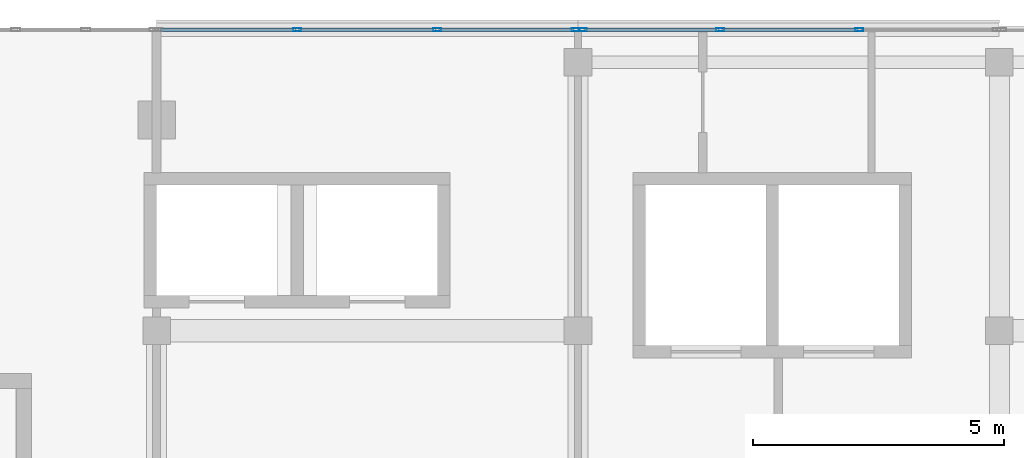
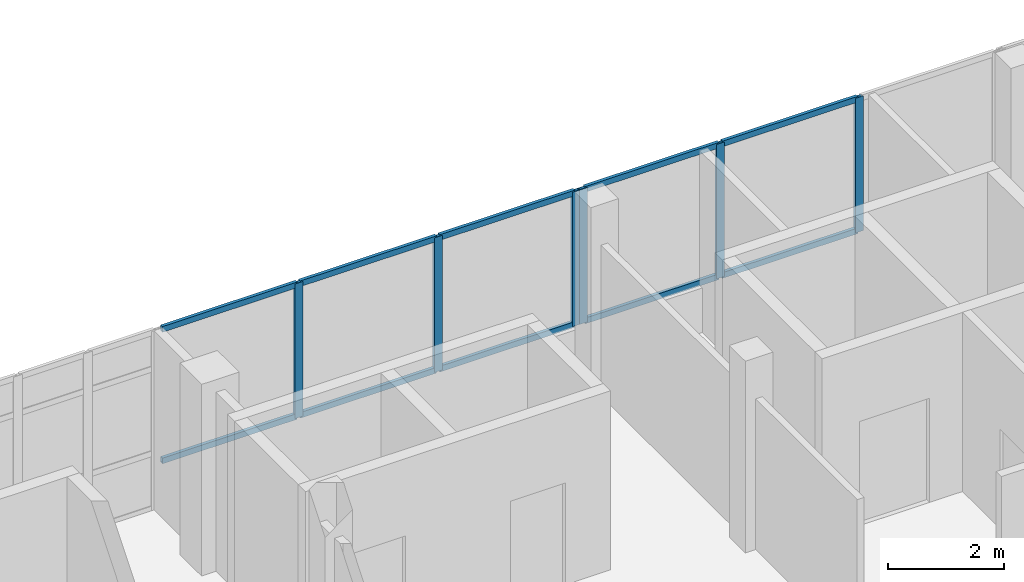
# One storey, part 35 of 66: 16 members, 2 elements without a shape of their own.
"""IFC4 building model written with IfcOpenShell, lengths in metres."""

from ifc_helpers import new_model, si_unit, direction, frame, origin, origin_2d, place, context, subcontext, project, spatial, hollow_rectangle, extrude, material, material_profile, profile_set, type_object, element, aggregate, save


model = new_model("IFC4")

# Units and contexts
model_context = context("Model", 3, precision=1e-05, world=origin(), true_north=direction((0.0, 1.0)))
body_context = subcontext(model_context, "Body", "Model", "MODEL_VIEW")
ifc_project = project(units=[si_unit("LENGTHUNIT", "METRE"), si_unit("AREAUNIT", "SQUARE_METRE"), si_unit("VOLUMEUNIT", "CUBIC_METRE"), si_unit("PLANEANGLEUNIT", "RADIAN"), si_unit("MASSUNIT", "GRAM", prefix="KILO")], contexts=[model_context])

# Site, building, storey
site_placement = place(None, origin())
site = spatial("IfcSite", under=ifc_project, at=site_placement, CompositionType="ELEMENT")
building_placement = place(site_placement, origin())
building = spatial("IfcBuilding", under=site, at=building_placement, Name="Selatvlak General Hospital", CompositionType="ELEMENT")
storey_placement = place(building_placement, frame((0.0, 0.0, 31.35009765625)))
storey = spatial("IfcBuildingStorey", under=building, at=storey_placement, Name="L07", CompositionType="ELEMENT", Elevation=31.35009765625)

# Curtain wall, members
ifc_material_1 = material(Name="Solar-control Low-E double glazing", Category="glass")
curtain_wall_type_1 = type_object("IfcCurtainWallType", Name="CW-CW-02", PredefinedType="USERDEFINED", material=ifc_material_1)
curtain_wall_1_placement = place(storey_placement, origin())
curtain_wall_1 = element("IfcCurtainWall", 1, at=curtain_wall_1_placement, inside=storey, type_object=curtain_wall_type_1, Name="Glazed facade curtain wall CW-L07-0654", ObjectType="UNITISED CURTAIN WALL", PredefinedType="USERDEFINED")
ifc_material_2 = material(Name="Dark anodised aluminium mullion", Category="aluminium")
ifc_material_profile_1 = material_profile(ifc_material_2, hollow_rectangle(XDim=0.06494140625, YDim=0.159912109375, WallThickness=0.00390625, at=origin_2d()), Name="AL-MUL 65x160x4")
ifc_profile_set_1 = profile_set([ifc_material_profile_1], Name="Dark anodised aluminium mullion")
member_type_1 = type_object("IfcMemberType", Name="CWM-01", PredefinedType="MULLION", material=ifc_profile_set_1)
member_1_placement = place(storey_placement, frame((118.00390625, 120.0, 0.93994140625), z_axis=(0.0, 0.0, 1.0), x_axis=(0.0, 1.0, 0.0)))
member_1 = element("IfcMember", 2, at=member_1_placement, type_object=member_type_1, Name="CW-02 mullion 2", PredefinedType="MULLION", context=body_context, shape_type="SweptSolid", body=[
    extrude(hollow_rectangle(XDim=0.06494140625, YDim=0.159912109375, WallThickness=0.00390625, at=origin_2d()), origin(), (0.0, 0.0, 1.0), 2.844970703125),
])
member_2_placement = place(storey_placement, frame((120.7939453125, 120.0, 0.93994140625), z_axis=(0.0, 0.0, 1.0), x_axis=(0.0, 1.0, 0.0)))
member_2 = element("IfcMember", 3, at=member_2_placement, type_object=member_type_1, Name="CW-02 mullion 3", PredefinedType="MULLION", context=body_context, shape_type="SweptSolid", body=[
    extrude(hollow_rectangle(XDim=0.06494140625, YDim=0.159912109375, WallThickness=0.00390625, at=origin_2d()), origin(), (0.0, 0.0, 1.0), 2.844970703125),
])
member_3_placement = place(storey_placement, frame((123.551513671875, 120.0, 0.93994140625), z_axis=(0.0, 0.0, 1.0), x_axis=(0.0, 1.0, 0.0)))
member_3 = element("IfcMember", 4, at=member_3_placement, type_object=member_type_1, Name="CW-02 mullion 4", PredefinedType="MULLION", context=body_context, shape_type="SweptSolid", body=[
    extrude(hollow_rectangle(XDim=0.06494140625, YDim=0.159912109375, WallThickness=0.00390625, at=origin_2d()), origin(), (0.0, 0.0, 1.0), 2.844970703125),
])

curtain_wall_type_2 = type_object("IfcCurtainWallType", Name="CW-CW-01", PredefinedType="USERDEFINED", material=ifc_material_1)
curtain_wall_2_placement = place(storey_placement, origin())
curtain_wall_2 = element("IfcCurtainWall", 5, at=curtain_wall_2_placement, inside=storey, type_object=curtain_wall_type_2, Name="Glazed facade curtain wall CW-L07-0655", ObjectType="UNITISED CURTAIN WALL", PredefinedType="USERDEFINED")
member_4_placement = place(storey_placement, frame((123.696533203125, 120.0, 0.93994140625), z_axis=(0.0, 0.0, 1.0), x_axis=(0.0, 1.0, 0.0)))
member_4 = element("IfcMember", 6, at=member_4_placement, type_object=member_type_1, Name="CW-01 mullion 1", PredefinedType="MULLION", context=body_context, shape_type="SweptSolid", body=[
    extrude(hollow_rectangle(XDim=0.06494140625, YDim=0.159912109375, WallThickness=0.00390625, at=origin_2d()), origin(), (0.0, 0.0, 1.0), 2.844970703125),
])
member_5_placement = place(storey_placement, frame((126.437255859375, 120.0, 0.93994140625), z_axis=(0.0, 0.0, 1.0), x_axis=(0.0, 1.0, 0.0)))
member_5 = element("IfcMember", 7, at=member_5_placement, type_object=member_type_1, Name="CW-01 mullion 2", PredefinedType="MULLION", context=body_context, shape_type="SweptSolid", body=[
    extrude(hollow_rectangle(XDim=0.06494140625, YDim=0.159912109375, WallThickness=0.00390625, at=origin_2d()), origin(), (0.0, 0.0, 1.0), 2.844970703125),
])
member_6_placement = place(storey_placement, frame((129.210693359375, 120.0, 0.93994140625), z_axis=(0.0, 0.0, 1.0), x_axis=(0.0, 1.0, 0.0)))
member_6 = element("IfcMember", 8, at=member_6_placement, type_object=member_type_1, Name="CW-01 mullion 3", PredefinedType="MULLION", context=body_context, shape_type="SweptSolid", body=[
    extrude(hollow_rectangle(XDim=0.06494140625, YDim=0.159912109375, WallThickness=0.00390625, at=origin_2d()), origin(), (0.0, 0.0, 1.0), 2.844970703125),
])

# Member
ifc_material_profile_2 = material_profile(ifc_material_2, hollow_rectangle(XDim=0.06494140625, YDim=0.1201171875, WallThickness=0.00390625, at=origin_2d()), Name="AL-TRN 65x120x4")
ifc_profile_set_2 = profile_set([ifc_material_profile_2], Name="Dark anodised aluminium mullion")
member_type_2 = type_object("IfcMemberType", Name="CWT-01", PredefinedType="USERDEFINED", material=ifc_profile_set_2)
member_7_placement = place(storey_placement, frame((115.279052734375, 120.0, 0.972412109375), z_axis=(1.0, 0.0, 0.0), x_axis=(0.0, 1.0, 0.0)))
member_7 = element("IfcMember", 9, at=member_7_placement, type_object=member_type_2, Name="CW-02 transom 1.1", ObjectType="TRANSOM", PredefinedType="USERDEFINED", context=body_context, shape_type="SweptSolid", body=[
    extrude(hollow_rectangle(XDim=0.06494140625, YDim=0.1201171875, WallThickness=0.00390625, at=origin_2d()), origin(), (0.0, 0.0, 1.0), 2.6923828125),
])

member_8_placement = place(storey_placement, frame((115.279052734375, 120.0, 3.75244140625), z_axis=(1.0, 0.0, 0.0), x_axis=(0.0, 1.0, 0.0)))
member_8 = element("IfcMember", 10, at=member_8_placement, type_object=member_type_2, Name="CW-02 transom 1.2", ObjectType="TRANSOM", PredefinedType="USERDEFINED", context=body_context, shape_type="SweptSolid", body=[
    extrude(hollow_rectangle(XDim=0.06494140625, YDim=0.1201171875, WallThickness=0.00390625, at=origin_2d()), origin(), (0.0, 0.0, 1.0), 2.6923828125),
])

member_9_placement = place(storey_placement, frame((118.03662109375, 120.0, 0.972412109375), z_axis=(1.0, 0.0, 0.0), x_axis=(0.0, 1.0, 0.0)))
member_9 = element("IfcMember", 11, at=member_9_placement, type_object=member_type_2, Name="CW-02 transom 2.1", ObjectType="TRANSOM", PredefinedType="USERDEFINED", context=body_context, shape_type="SweptSolid", body=[
    extrude(hollow_rectangle(XDim=0.06494140625, YDim=0.1201171875, WallThickness=0.00390625, at=origin_2d()), origin(), (0.0, 0.0, 1.0), 2.724853515625),
])

member_10_placement = place(storey_placement, frame((118.03662109375, 120.0, 3.75244140625), z_axis=(1.0, 0.0, 0.0), x_axis=(0.0, 1.0, 0.0)))
member_10 = element("IfcMember", 12, at=member_10_placement, type_object=member_type_2, Name="CW-02 transom 2.2", ObjectType="TRANSOM", PredefinedType="USERDEFINED", context=body_context, shape_type="SweptSolid", body=[
    extrude(hollow_rectangle(XDim=0.06494140625, YDim=0.1201171875, WallThickness=0.00390625, at=origin_2d()), origin(), (0.0, 0.0, 1.0), 2.724853515625),
])

member_11_placement = place(storey_placement, frame((120.826416015625, 120.0, 0.972412109375), z_axis=(1.0, 0.0, 0.0), x_axis=(0.0, 1.0, 0.0)))
member_11 = element("IfcMember", 13, at=member_11_placement, type_object=member_type_2, Name="CW-02 transom 3.1", ObjectType="TRANSOM", PredefinedType="USERDEFINED", context=body_context, shape_type="SweptSolid", body=[
    extrude(hollow_rectangle(XDim=0.06494140625, YDim=0.1201171875, WallThickness=0.00390625, at=origin_2d()), origin(), (0.0, 0.0, 1.0), 2.692626953125),
])

member_12_placement = place(storey_placement, frame((120.826416015625, 120.0, 3.75244140625), z_axis=(1.0, 0.0, 0.0), x_axis=(0.0, 1.0, 0.0)))
member_12 = element("IfcMember", 14, at=member_12_placement, type_object=member_type_2, Name="CW-02 transom 3.2", ObjectType="TRANSOM", PredefinedType="USERDEFINED", context=body_context, shape_type="SweptSolid", body=[
    extrude(hollow_rectangle(XDim=0.06494140625, YDim=0.1201171875, WallThickness=0.00390625, at=origin_2d()), origin(), (0.0, 0.0, 1.0), 2.692626953125),
])

aggregate(curtain_wall_1, [member_1, member_2, member_3, member_7, member_8, member_9, member_10, member_11, member_12])

member_13_placement = place(storey_placement, frame((123.72900390625, 120.0, 0.972412109375), z_axis=(1.0, 0.0, 0.0), x_axis=(0.0, 1.0, 0.0)))
member_13 = element("IfcMember", 15, at=member_13_placement, type_object=member_type_2, Name="CW-01 transom 1.1", ObjectType="TRANSOM", PredefinedType="USERDEFINED", context=body_context, shape_type="SweptSolid", body=[
    extrude(hollow_rectangle(XDim=0.06494140625, YDim=0.1201171875, WallThickness=0.00390625, at=origin_2d()), origin(), (0.0, 0.0, 1.0), 2.67578125),
])

member_14_placement = place(storey_placement, frame((123.72900390625, 120.0, 3.75244140625), z_axis=(1.0, 0.0, 0.0), x_axis=(0.0, 1.0, 0.0)))
member_14 = element("IfcMember", 16, at=member_14_placement, type_object=member_type_2, Name="CW-01 transom 1.2", ObjectType="TRANSOM", PredefinedType="USERDEFINED", context=body_context, shape_type="SweptSolid", body=[
    extrude(hollow_rectangle(XDim=0.06494140625, YDim=0.1201171875, WallThickness=0.00390625, at=origin_2d()), origin(), (0.0, 0.0, 1.0), 2.67578125),
])

member_15_placement = place(storey_placement, frame((126.4697265625, 120.0, 0.972412109375), z_axis=(1.0, 0.0, 0.0), x_axis=(0.0, 1.0, 0.0)))
member_15 = element("IfcMember", 17, at=member_15_placement, type_object=member_type_2, Name="CW-01 transom 2.1", ObjectType="TRANSOM", PredefinedType="USERDEFINED", context=body_context, shape_type="SweptSolid", body=[
    extrude(hollow_rectangle(XDim=0.06494140625, YDim=0.1201171875, WallThickness=0.00390625, at=origin_2d()), origin(), (0.0, 0.0, 1.0), 2.70849609375),
])

member_16_placement = place(storey_placement, frame((126.4697265625, 120.0, 3.75244140625), z_axis=(1.0, 0.0, 0.0), x_axis=(0.0, 1.0, 0.0)))
member_16 = element("IfcMember", 18, at=member_16_placement, type_object=member_type_2, Name="CW-01 transom 2.2", ObjectType="TRANSOM", PredefinedType="USERDEFINED", context=body_context, shape_type="SweptSolid", body=[
    extrude(hollow_rectangle(XDim=0.06494140625, YDim=0.1201171875, WallThickness=0.00390625, at=origin_2d()), origin(), (0.0, 0.0, 1.0), 2.70849609375),
])

aggregate(curtain_wall_2, [member_4, member_5, member_6, member_13, member_14, member_15, member_16])

save(model, "model.ifc")
